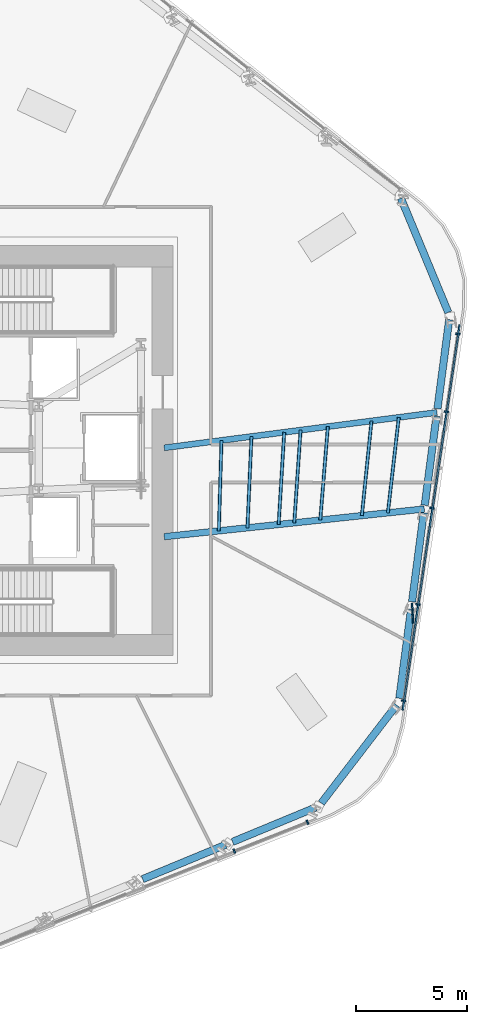
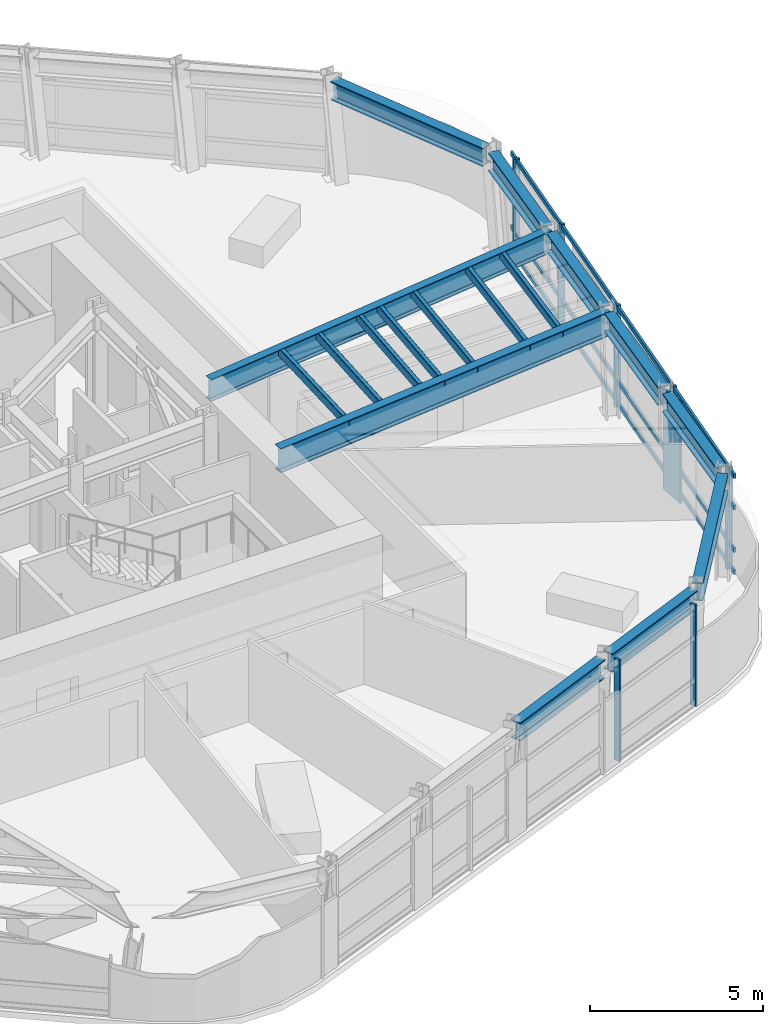
# One storey, part 4 of 17: 19 members, 10 beams, 2 elements without a shape of their own.
"""IFC4 building model written with IfcOpenShell, lengths in metres."""

from ifc_helpers import new_model, si_unit, direction, frame, origin, origin_2d, place, context, subcontext, project, spatial, rectangle, hollow_rectangle, i_section, extrude, material, layer, layer_set, material_profile, profile_set, type_object, element, aggregate, save


model = new_model("IFC4")

# Units and contexts
model_context = context("Model", 3, precision=1e-05, world=origin(), true_north=direction((0.0, 1.0)))
body_context = subcontext(model_context, "Body", "Model", "MODEL_VIEW")
ifc_project = project(units=[si_unit("LENGTHUNIT", "METRE"), si_unit("AREAUNIT", "SQUARE_METRE"), si_unit("VOLUMEUNIT", "CUBIC_METRE"), si_unit("PLANEANGLEUNIT", "RADIAN"), si_unit("MASSUNIT", "GRAM", prefix="KILO")], contexts=[model_context])

# Site, building, storey
site_placement = place(None, origin())
site = spatial("IfcSite", under=ifc_project, at=site_placement, CompositionType="ELEMENT")
building_placement = place(site_placement, origin())
building = spatial("IfcBuilding", under=site, at=building_placement, Name="Valkerne Bourse Tower", CompositionType="ELEMENT")
storey_placement = place(building_placement, frame((0.0, 0.0, 116.199951171875)))
storey = spatial("IfcBuildingStorey", under=building, at=storey_placement, Name="L29", CompositionType="ELEMENT", Elevation=116.199951171875)

# Beams
ifc_material_1 = material(Name="Steel ASTM A992", Category="steel")
ifc_material_profile_1 = material_profile(ifc_material_1, i_section(OverallWidth=0.330078125, OverallDepth=0.647705078125, WebThickness=0.0205078125, FlangeThickness=0.037109375, FilletRadius=0.020263671875, at=origin_2d()), Name="W24X192")
ifc_profile_set_1 = profile_set([ifc_material_profile_1], Name="Steel ASTM A992")
beam_type_1 = type_object("IfcBeamType", Name="BM-W24X192", PredefinedType="SPANDREL", material=ifc_profile_set_1)
for number, where, z_axis, x_axis, name in (
    (1, (55.027099609375, 7.58251953125, 3.25634765625), (0.923880670291, 0.382680685511, 0.0), (-0.382680685511, 0.923880670291, 0.0), "L29 Hexagonal Spandrel Ring Beam 22"),
    (2, (59.076416015625, 9.260009765625, 3.25634765625), (0.923902019709, 0.382629138955, 0.0), (-0.382629138955, 0.923902019709, 0.0), "L29 Hexagonal Spandrel Ring Beam 23"),
):
    element("IfcBeam", number, at=place(storey_placement, frame(where, z_axis=z_axis, x_axis=x_axis)), inside=storey, type_object=beam_type_1, Name=name, PredefinedType="SPANDREL", context=body_context, shape_type="SweptSolid", body=[
        extrude(i_section(OverallWidth=0.330078125, OverallDepth=0.647705078125, WebThickness=0.0205078125, FlangeThickness=0.037109375, FilletRadius=0.020263671875, at=origin_2d()), origin(), (0.0, 0.0, 1.0), 4.042724609375),
    ])
beam_1_placement = place(storey_placement, frame((63.072021484375, 11.007080078125, 3.25634765625), z_axis=(0.608794383908, 0.79332805202, 0.0), x_axis=(-0.79332805202, 0.608794383908, 0.0)))
element("IfcBeam", 3, at=beam_1_placement, inside=storey, type_object=beam_type_1, Name="L29 Hexagonal Spandrel Ring Beam 24", PredefinedType="SPANDREL", context=body_context, shape_type="SweptSolid", body=[
    extrude(i_section(OverallWidth=0.330078125, OverallDepth=0.647705078125, WebThickness=0.0205078125, FlangeThickness=0.037109375, FilletRadius=0.020263671875, at=origin_2d()), origin(), (0.0, 0.0, 1.0), 5.564697265625),
])
beam_2_placement = place(storey_placement, frame((66.585205078125, 15.72509765625, 3.25634765625), z_axis=(0.130557610341, 0.991440724593, 0.0), x_axis=(-0.991440724593, 0.130557610341, 0.0)))
element("IfcBeam", 4, at=beam_2_placement, inside=storey, type_object=beam_type_1, Name="L29 Hexagonal Spandrel Ring Beam 25", PredefinedType="SPANDREL", context=body_context, shape_type="SweptSolid", body=[
    extrude(i_section(OverallWidth=0.330078125, OverallDepth=0.647705078125, WebThickness=0.0205078125, FlangeThickness=0.037109375, FilletRadius=0.020263671875, at=origin_2d()), origin(), (0.0, 0.0, 1.0), 4.04296875),
])
for number, where, z_axis, x_axis, name in (
    (5, (67.157470703125, 20.070556640625, 3.25634765625), (0.130490438874, 0.991449567735, 0.0), (-0.991449567735, 0.130490438874, 0.0), "L29 Hexagonal Spandrel Ring Beam 26"),
    (6, (67.7294921875, 24.416015625, 3.25634765625), (0.130490438874, 0.991449567735, 0.0), (-0.991449567735, 0.130490438874, 0.0), "L29 Hexagonal Spandrel Ring Beam 27"),
    (7, (68.301513671875, 28.761474609375, 3.25634765625), (0.130549794248, 0.991441753822, 0.0), (-0.991441753822, 0.130549794248, 0.0), "L29 Hexagonal Spandrel Ring Beam 28"),
):
    element("IfcBeam", number, at=place(storey_placement, frame(where, z_axis=z_axis, x_axis=x_axis)), inside=storey, type_object=beam_type_1, Name=name, PredefinedType="SPANDREL", context=body_context, shape_type="SweptSolid", body=[
        extrude(i_section(OverallWidth=0.330078125, OverallDepth=0.647705078125, WebThickness=0.0205078125, FlangeThickness=0.037109375, FilletRadius=0.020263671875, at=origin_2d()), origin(), (0.0, 0.0, 1.0), 4.043212890625),
    ])
beam_3_placement = place(storey_placement, frame((68.786376953125, 33.095703125, 3.25634765625), z_axis=(-0.382679875266, 0.923881005902, 0.0), x_axis=(-0.923881005902, -0.382679875266, 0.0)))
element("IfcBeam", 8, at=beam_3_placement, inside=storey, type_object=beam_type_1, Name="L29 Hexagonal Spandrel Ring Beam 29", PredefinedType="SPANDREL", context=body_context, shape_type="SweptSolid", body=[
    extrude(i_section(OverallWidth=0.330078125, OverallDepth=0.647705078125, WebThickness=0.0205078125, FlangeThickness=0.037109375, FilletRadius=0.020263671875, at=origin_2d()), origin(), (0.0, 0.0, 1.0), 5.564453125),
])
ifc_material_profile_2 = material_profile(ifc_material_1, i_section(OverallWidth=0.26806640625, OverallDepth=0.76953125, WebThickness=0.015625, FlangeThickness=0.025390625, FilletRadius=0.025390625, at=origin_2d()), Name="W30X132")
ifc_profile_set_2 = profile_set([ifc_material_profile_2], Name="Steel ASTM A992")
beam_type_2 = type_object("IfcBeamType", Name="BM-W30X132", PredefinedType="BEAM", material=ifc_profile_set_2)
beam_4_placement = place(storey_placement, frame((68.279296875, 28.593017578125, 3.1953125), z_axis=(-0.991689560858, -0.128653856859, 0.0), x_axis=(0.128653856859, -0.991689560858, 0.0)))
element("IfcBeam", 9, at=beam_4_placement, inside=storey, type_object=beam_type_2, Name="L29 Radial Composite Floor Beam 28", PredefinedType="BEAM", context=body_context, shape_type="SweptSolid", body=[
    extrude(i_section(OverallWidth=0.26806640625, OverallDepth=0.76953125, WebThickness=0.015625, FlangeThickness=0.025390625, FilletRadius=0.025390625, at=origin_2d()), origin(), (0.0, 0.0, 1.0), 12.382080078125),
])
ifc_material_profile_3 = material_profile(ifc_material_1, i_section(OverallWidth=0.2919921875, OverallDepth=0.8583984375, WebThickness=0.01708984375, FlangeThickness=0.031005859375, FilletRadius=0.025390625, at=origin_2d()), Name="W33X169")
ifc_profile_set_3 = profile_set([ifc_material_profile_3], Name="Steel ASTM A992")
beam_type_3 = type_object("IfcBeamType", Name="BM-W33X169", PredefinedType="BEAM", material=ifc_profile_set_3)
beam_5_placement = place(storey_placement, frame((67.707275390625, 24.24755859375, 3.15087890625), z_axis=(-0.994370101106, -0.105962738862, 0.0), x_axis=(0.105962738862, -0.994370101106, 0.0)))
element("IfcBeam", 10, at=beam_5_placement, inside=storey, type_object=beam_type_3, Name="L29 Radial Composite Floor Beam 27", PredefinedType="BEAM", context=body_context, shape_type="SweptSolid", body=[
    extrude(i_section(OverallWidth=0.2919921875, OverallDepth=0.8583984375, WebThickness=0.01708984375, FlangeThickness=0.031005859375, FilletRadius=0.025390625, at=origin_2d()), origin(), (0.0, 0.0, 1.0), 11.7734375),
])

# Curtain wall, members
ifc_material_2 = material(Name="Aluminium AA 6063-T6", Category="aluminium")
ifc_layer = layer(ifc_material_2, 0.22998046875)
ifc_layer_set = layer_set([ifc_layer], Name="Aluminium AA 6063-T6")
curtain_wall_type = type_object("IfcCurtainWallType", Name="CW-02", PredefinedType="NOTDEFINED", material=ifc_layer_set)
curtain_wall_1_placement = place(storey_placement, origin())
curtain_wall_1 = element("IfcCurtainWall", 11, at=curtain_wall_1_placement, inside=storey, type_object=curtain_wall_type, Name="L29 Hexagonal Stick Curtain Wall Face 5", PredefinedType="NOTDEFINED")
ifc_material_profile_4 = material_profile(ifc_material_2, rectangle(XDim=0.074951171875, YDim=0.199951171875, at=origin_2d()), Name="CWM-75X200")
ifc_profile_set_4 = profile_set([ifc_material_profile_4], Name="Aluminium AA 6063-T6")
member_type_1 = type_object("IfcMemberType", Name="CW-MUL-220X75", PredefinedType="MULLION", material=ifc_profile_set_4)
member_1_placement = place(storey_placement, frame((59.15380859375, 8.84521484375, 0.0), z_axis=(0.0, 0.0, 1.0), x_axis=(0.929775378666, 0.368127349196, 0.0)))
member_1 = element("IfcMember", 12, at=member_1_placement, type_object=member_type_1, Name="CW-L29-F5 Jamb Mullion 03A", PredefinedType="MULLION", context=body_context, shape_type="SweptSolid", body=[
    extrude(rectangle(XDim=0.074951171875, YDim=0.199951171875, at=origin_2d()), origin(), (0.0, 0.0, 1.0), 3.580078125),
])
member_2_placement = place(storey_placement, frame((62.447998046875, 10.1494140625, 0.0), z_axis=(0.0, 0.0, 1.0), x_axis=(0.929775378666, 0.368127349196, 0.0)))
member_2 = element("IfcMember", 13, at=member_2_placement, type_object=member_type_1, Name="CW-L29-F5 Jamb Mullion 03B", PredefinedType="MULLION", context=body_context, shape_type="SweptSolid", body=[
    extrude(rectangle(XDim=0.074951171875, YDim=0.199951171875, at=origin_2d()), origin(), (0.0, 0.0, 1.0), 3.580078125),
])
aggregate(curtain_wall_1, [member_1, member_2])

curtain_wall_2_placement = place(storey_placement, origin())
curtain_wall_2 = element("IfcCurtainWall", 14, at=curtain_wall_2_placement, inside=storey, type_object=curtain_wall_type, Name="L29 Hexagonal Stick Curtain Wall Face 6", PredefinedType="NOTDEFINED")
member_3_placement = place(storey_placement, frame((66.778564453125, 15.61328125, 0.0), z_axis=(0.0, 0.0, 1.0), x_axis=(0.146086428352, 0.98927183092, 0.0)))
member_3 = element("IfcMember", 15, at=member_3_placement, type_object=member_type_1, Name="CW-L29-F6 Jamb Mullion 00A", PredefinedType="MULLION", context=body_context, shape_type="SweptSolid", body=[
    extrude(rectangle(XDim=0.074951171875, YDim=0.199951171875, at=origin_2d()), origin(), (0.0, 0.0, 1.0), 3.580078125),
])
member_4_placement = place(storey_placement, frame((67.4189453125, 19.94921875, 0.0), z_axis=(0.0, 0.0, 1.0), x_axis=(0.146089725684, 0.989271343995, 0.0)))
member_4 = element("IfcMember", 16, at=member_4_placement, type_object=member_type_1, Name="CW-L29-F6 Jamb Mullion 01A", PredefinedType="MULLION", context=body_context, shape_type="SweptSolid", body=[
    extrude(rectangle(XDim=0.074951171875, YDim=0.199951171875, at=origin_2d()), origin(), (0.0, 0.0, 1.0), 3.580078125),
])
member_5_placement = place(storey_placement, frame((68.05908203125, 24.28515625, 0.0), z_axis=(0.0, 0.0, 1.0), x_axis=(0.146086428352, 0.98927183092, 0.0)))
member_5 = element("IfcMember", 17, at=member_5_placement, type_object=member_type_1, Name="CW-L29-F6 Jamb Mullion 02A", PredefinedType="MULLION", context=body_context, shape_type="SweptSolid", body=[
    extrude(rectangle(XDim=0.074951171875, YDim=0.199951171875, at=origin_2d()), origin(), (0.0, 0.0, 1.0), 3.580078125),
])
member_6_placement = place(storey_placement, frame((68.699462890625, 28.62109375, 0.0), z_axis=(0.0, 0.0, 1.0), x_axis=(0.146086428352, 0.98927183092, 0.0)))
member_6 = element("IfcMember", 18, at=member_6_placement, type_object=member_type_1, Name="CW-L29-F6 Jamb Mullion 03A", PredefinedType="MULLION", context=body_context, shape_type="SweptSolid", body=[
    extrude(rectangle(XDim=0.074951171875, YDim=0.199951171875, at=origin_2d()), origin(), (0.0, 0.0, 1.0), 3.580078125),
])
member_7_placement = place(storey_placement, frame((69.217041015625, 32.126220703125, 0.0), z_axis=(0.0, 0.0, 1.0), x_axis=(0.146086428352, 0.98927183092, 0.0)))
member_7 = element("IfcMember", 19, at=member_7_placement, type_object=member_type_1, Name="CW-L29-F6 Jamb Mullion 03B", PredefinedType="MULLION", context=body_context, shape_type="SweptSolid", body=[
    extrude(rectangle(XDim=0.074951171875, YDim=0.199951171875, at=origin_2d()), origin(), (0.0, 0.0, 1.0), 3.580078125),
])
ifc_material_profile_5 = material_profile(ifc_material_2, rectangle(XDim=0.074951171875, YDim=0.14990234375, at=origin_2d()), Name="CWT-75X150")
ifc_profile_set_5 = profile_set([ifc_material_profile_5], Name="Aluminium AA 6063-T6")
member_type_2 = type_object("IfcMemberType", Name="CW-TRN-180X65", PredefinedType="USERDEFINED", material=ifc_profile_set_5)
member_8_placement = place(storey_placement, frame((66.737060546875, 15.19482421875, 0.1201171875), z_axis=(0.146077274886, 0.989273182575, 0.0), x_axis=(-0.989273182575, 0.146077274886, 0.0)))
member_8 = element("IfcMember", 20, at=member_8_placement, type_object=member_type_2, Name="CW-L29-F6 Continuous Face Transom 1", ObjectType="TRANSOM", PredefinedType="USERDEFINED", context=body_context, shape_type="SweptSolid", body=[
    extrude(rectangle(XDim=0.074951171875, YDim=0.14990234375, at=origin_2d()), origin(), (0.0, 0.0, 1.0), 17.531982421875),
])
member_9_placement = place(storey_placement, frame((66.737060546875, 15.19482421875, 0.900146484375), z_axis=(0.146077274886, 0.989273182575, 0.0), x_axis=(-0.989273182575, 0.146077274886, 0.0)))
member_9 = element("IfcMember", 21, at=member_9_placement, type_object=member_type_2, Name="CW-L29-F6 Continuous Face Transom 2", ObjectType="TRANSOM", PredefinedType="USERDEFINED", context=body_context, shape_type="SweptSolid", body=[
    extrude(rectangle(XDim=0.074951171875, YDim=0.14990234375, at=origin_2d()), origin(), (0.0, 0.0, 1.0), 17.531982421875),
])
member_10_placement = place(storey_placement, frame((66.737060546875, 15.19482421875, 2.400146484375), z_axis=(0.146077274886, 0.989273182575, 0.0), x_axis=(-0.989273182575, 0.146077274886, 0.0)))
member_10 = element("IfcMember", 22, at=member_10_placement, type_object=member_type_2, Name="CW-L29-F6 Continuous Face Transom 3", ObjectType="TRANSOM", PredefinedType="USERDEFINED", context=body_context, shape_type="SweptSolid", body=[
    extrude(rectangle(XDim=0.074951171875, YDim=0.14990234375, at=origin_2d()), origin(), (0.0, 0.0, 1.0), 17.531982421875),
])
member_11_placement = place(storey_placement, frame((66.737060546875, 15.19482421875, 3.5), z_axis=(0.146077274886, 0.989273182575, 0.0), x_axis=(-0.989273182575, 0.146077274886, 0.0)))
member_11 = element("IfcMember", 23, at=member_11_placement, type_object=member_type_2, Name="CW-L29-F6 Continuous Face Transom 4", ObjectType="TRANSOM", PredefinedType="USERDEFINED", context=body_context, shape_type="SweptSolid", body=[
    extrude(rectangle(XDim=0.074951171875, YDim=0.14990234375, at=origin_2d()), origin(), (0.0, 0.0, 1.0), 17.531982421875),
])
aggregate(curtain_wall_2, [member_8, member_9, member_10, member_11, member_3, member_4, member_5, member_6, member_7])

# Members
ifc_material_3 = material(Name="Bronze Anodised Aluminium AA 6063-T6", Category="aluminium")
ifc_material_profile_6 = material_profile(ifc_material_3, rectangle(XDim=0.070068359375, YDim=0.89990234375, at=origin_2d()), Name="FIN-70X900")
ifc_profile_set_6 = profile_set([ifc_material_profile_6], Name="Bronze Anodised Aluminium AA 6063-T6")
member_type_3 = type_object("IfcMemberType", Name="FIN-SOLAR-900", PredefinedType="USERDEFINED", material=ifc_profile_set_6)
member_12_placement = place(storey_placement, frame((67.179443359375, 19.56005859375, 0.004150390625), z_axis=(0.0, 0.0, 1.0), x_axis=(0.998579986444, 0.053272982593, 0.0)))
element("IfcMember", 24, at=member_12_placement, inside=storey, type_object=member_type_3, Name="L29 Bronze Anodised Solar Fin F6-01", ObjectType="SOLAR_FIN", PredefinedType="USERDEFINED", context=body_context, shape_type="SweptSolid", body=[
    extrude(rectangle(XDim=0.070068359375, YDim=0.89990234375, at=origin_2d()), origin(), (0.0, 0.0, 1.0), 3.57177734375),
])
ifc_material_4 = material(Name="Steel ASTM A500 Grade C", Category="steel")
ifc_material_profile_7 = material_profile(ifc_material_4, hollow_rectangle(XDim=0.14990234375, YDim=0.300048828125, WallThickness=0.012451171875, OuterFilletRadius=0.02490234375, at=origin_2d()), Name="HSS300X150X12.5")
ifc_profile_set_7 = profile_set([ifc_material_profile_7], Name="Steel ASTM A500 Grade C")
member_type_4 = type_object("IfcMemberType", Name="MBR-HSS300X150X12.5", PredefinedType="PURLIN", material=ifc_profile_set_7)
member_13_placement = place(storey_placement, frame((59.746337890625, 23.399169921875, 3.420166015625), z_axis=(0.044500624659, 0.999009356515, 0.0), x_axis=(-0.999009356515, 0.044500624659, 0.0)))
element("IfcMember", 25, at=member_13_placement, inside=storey, type_object=member_type_4, Name="L29 Secondary Composite Floor Purlin I-27", PredefinedType="PURLIN", context=body_context, shape_type="SweptSolid", body=[
    extrude(hollow_rectangle(XDim=0.14990234375, YDim=0.300048828125, WallThickness=0.012451171875, OuterFilletRadius=0.02490234375, at=origin_2d()), origin(), (0.0, 0.0, 1.0), 4.11474609375),
])
member_14_placement = place(storey_placement, frame((61.151123046875, 23.548828125, 3.420166015625), z_axis=(0.060511008607, 0.998167529945, 0.0), x_axis=(-0.998167529945, 0.060511008607, 0.0)))
element("IfcMember", 26, at=member_14_placement, inside=storey, type_object=member_type_4, Name="L29 Secondary Composite Floor Purlin K-27", PredefinedType="PURLIN", context=body_context, shape_type="SweptSolid", body=[
    extrude(hollow_rectangle(XDim=0.14990234375, YDim=0.300048828125, WallThickness=0.012451171875, OuterFilletRadius=0.02490234375, at=origin_2d()), origin(), (0.0, 0.0, 1.0), 4.15966796875),
])
member_15_placement = place(storey_placement, frame((61.853759765625, 23.623779296875, 3.420166015625), z_axis=(0.06835533767, 0.997661038536, 0.0), x_axis=(-0.997661038536, 0.06835533767, 0.0)))
element("IfcMember", 27, at=member_15_placement, inside=storey, type_object=member_type_4, Name="L29 Secondary Composite Floor Purlin M-27", PredefinedType="PURLIN", context=body_context, shape_type="SweptSolid", body=[
    extrude(hollow_rectangle(XDim=0.14990234375, YDim=0.300048828125, WallThickness=0.012451171875, OuterFilletRadius=0.02490234375, at=origin_2d()), origin(), (0.0, 0.0, 1.0), 4.182373046875),
])
member_16_placement = place(storey_placement, frame((64.8974609375, 23.947998046875, 3.420166015625), z_axis=(0.101478012042, 0.99483778229, 0.0), x_axis=(-0.99483778229, 0.101478012042, 0.0)))
element("IfcMember", 28, at=member_16_placement, inside=storey, type_object=member_type_4, Name="L29 Secondary Composite Floor Purlin O-27", PredefinedType="PURLIN", context=body_context, shape_type="SweptSolid", body=[
    extrude(hollow_rectangle(XDim=0.14990234375, YDim=0.300048828125, WallThickness=0.012451171875, OuterFilletRadius=0.02490234375, at=origin_2d()), origin(), (0.0, 0.0, 1.0), 4.284912109375),
])
member_17_placement = place(storey_placement, frame((63.0244140625, 23.74853515625, 3.420166015625), z_axis=(0.081317453858, 0.996688252012, 0.0), x_axis=(-0.996688252012, 0.081317453858, 0.0)))
element("IfcMember", 29, at=member_17_placement, inside=storey, type_object=member_type_4, Name="L29 Secondary Composite Floor Purlin Z-27", PredefinedType="PURLIN", context=body_context, shape_type="SweptSolid", body=[
    extrude(hollow_rectangle(XDim=0.14990234375, YDim=0.300048828125, WallThickness=0.012451171875, OuterFilletRadius=0.02490234375, at=origin_2d()), origin(), (0.0, 0.0, 1.0), 4.22119140625),
])
member_18_placement = place(storey_placement, frame((58.45849609375, 23.261962890625, 3.420166015625), z_axis=(0.029481813794, 0.999565316853, 0.0), x_axis=(-0.999565316853, 0.029481813794, 0.0)))
element("IfcMember", 30, at=member_18_placement, inside=storey, type_object=member_type_4, Name="L29 Secondary Composite Floor Purlin S-27", PredefinedType="PURLIN", context=body_context, shape_type="SweptSolid", body=[
    extrude(hollow_rectangle(XDim=0.14990234375, YDim=0.300048828125, WallThickness=0.012451171875, OuterFilletRadius=0.02490234375, at=origin_2d()), origin(), (0.0, 0.0, 1.0), 4.07421875),
])
member_19_placement = place(storey_placement, frame((66.068359375, 24.07275390625, 3.420166015625), z_axis=(0.113732837737, 0.993511369648, 0.0), x_axis=(-0.993511369648, 0.113732837737, 0.0)))
element("IfcMember", 31, at=member_19_placement, inside=storey, type_object=member_type_4, Name="L29 Secondary Composite Floor Purlin T-27", PredefinedType="PURLIN", context=body_context, shape_type="SweptSolid", body=[
    extrude(hollow_rectangle(XDim=0.14990234375, YDim=0.300048828125, WallThickness=0.012451171875, OuterFilletRadius=0.02490234375, at=origin_2d()), origin(), (0.0, 0.0, 1.0), 4.325439453125),
])

save(model, "model.ifc")
